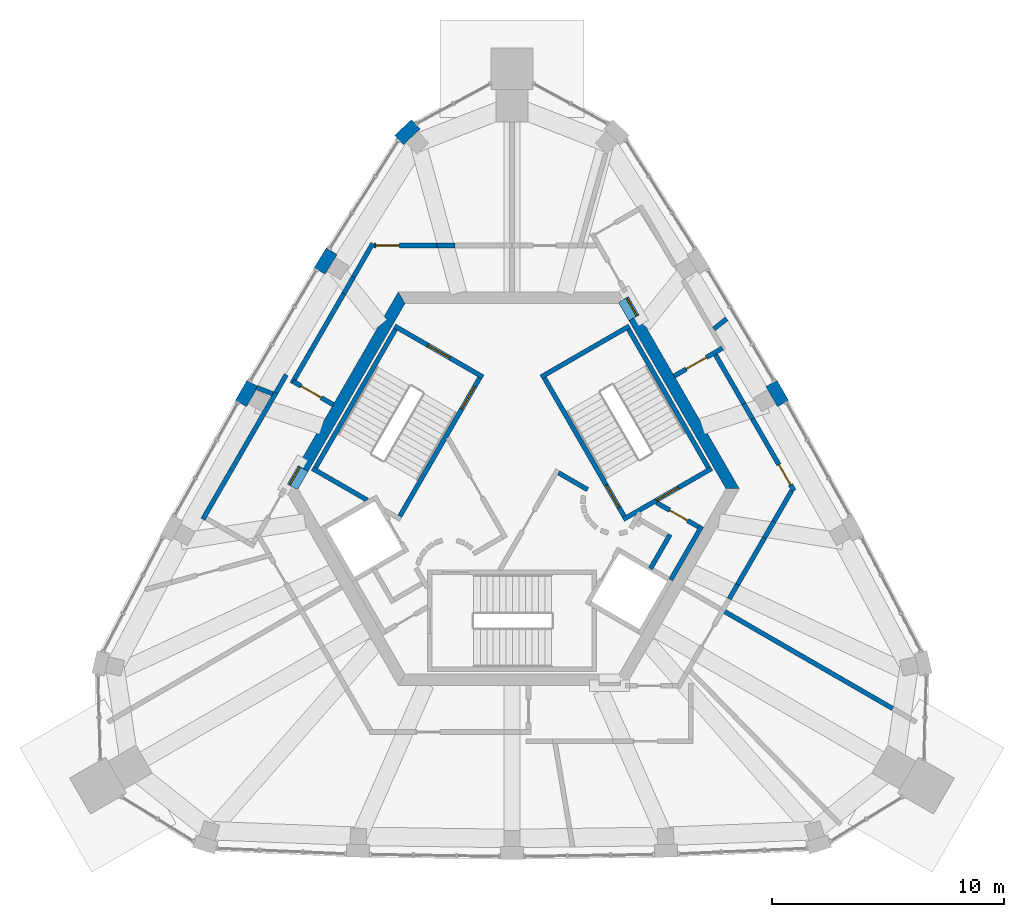
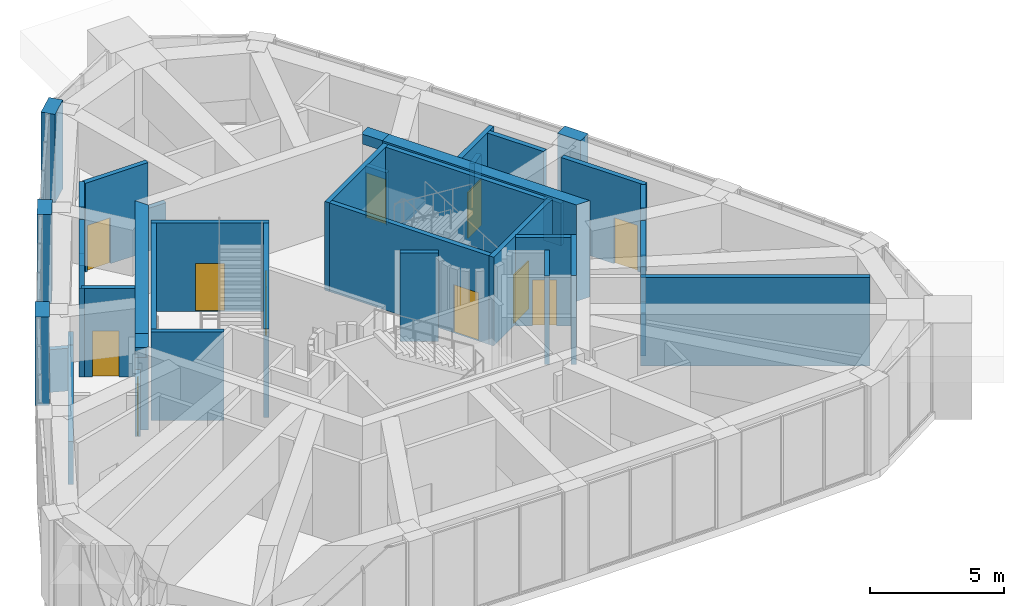
# One storey, part 9 of 11: 41 walls, 11 doors, 11 openings.
"""IFC4 building model written with IfcOpenShell, lengths in metres."""

from ifc_helpers import new_model, si_unit, direction, frame, frame_2d, origin, place, context, subcontext, project, spatial, polyline, rectangle, outline, extrude, material, layer, layer_set, type_object, element, fill, save


model = new_model("IFC4")

# Units and contexts
model_context = context("Model", 3, precision=1e-05, world=origin(), true_north=direction((0.0, 1.0)))
body_context = subcontext(model_context, "Body", "Model", "MODEL_VIEW")
ifc_project = project(units=[si_unit("LENGTHUNIT", "METRE"), si_unit("AREAUNIT", "SQUARE_METRE"), si_unit("VOLUMEUNIT", "CUBIC_METRE"), si_unit("PLANEANGLEUNIT", "RADIAN"), si_unit("MASSUNIT", "GRAM", prefix="KILO")], contexts=[model_context])

# Site, building, storey
site_placement = place(None, origin())
site = spatial("IfcSite", under=ifc_project, at=site_placement, CompositionType="ELEMENT")
building_placement = place(site_placement, origin())
building = spatial("IfcBuilding", under=site, at=building_placement, Name="Entoto Arch Interchange Tower", CompositionType="ELEMENT")
storey_placement = place(building_placement, frame((0.0, 0.0, 353.89990234375)))
storey = spatial("IfcBuildingStorey", under=building, at=storey_placement, Name="L83", CompositionType="ELEMENT", Elevation=353.89990234375)

# Wall, opening, door
ifc_material_1 = material(Name="Reinforced concrete C40/50", Category="concrete")
ifc_layer_1 = layer(ifc_material_1, 0.199951171875)
ifc_layer_set_1 = layer_set([ifc_layer_1], Name="Reinforced concrete C40/50")
wall_type_1 = type_object("IfcWallType", Name="CORE GAP INFILL WALL", PredefinedType="PARTITIONING", material=ifc_layer_set_1)
wall_1_placement = place(storey_placement, frame((5.39892578125, 9.947998046875, 0.0), z_axis=(0.0, 0.0, 1.0), x_axis=(-0.499882215713, 0.866093395895, 0.0)))
wall_1 = element("IfcWall", 1, at=wall_1_placement, inside=storey, type_object=wall_type_1, Name="wall:L83:gap2", PredefinedType="PARTITIONING", context=body_context, shape_type="SweptSolid", body=[
    extrude(rectangle(XDim=0.926025390625, YDim=0.199951171875, at=frame_2d((0.462890625, 0.0))), origin(), (0.0, 0.0, 1.0), 2.400146484375),
])
opening_1_placement = place(wall_1_placement, frame((0.01708984375, 0.0, 0.0)))
opening_1 = element("IfcOpeningElement", 2, at=opening_1_placement, cuts=wall_1, Name="Opening L83-D92", PredefinedType="OPENING", context=body_context, shape_type="SweptSolid", body=[
    extrude(rectangle(XDim=0.89990234375, YDim=2.10009765625, at=frame_2d((0.449951171875, 1.050048828125))), frame((0.0, 0.10986328125, 0.0), z_axis=(0.0, -1.0, 0.0), x_axis=(1.0, 0.0, 0.0)), (0.0, 0.0, 1.0), 0.219970703125),
])
ifc_material_2 = material(Name="Fire-rated Steel S235 door and frame", Category="steel")
door_type_1 = type_object("IfcDoorType", Name="DOOR FD-09 900x2100", OperationType="SINGLE_SWING_LEFT", PredefinedType="DOOR", material=ifc_material_2)
door_1_placement = place(opening_1_placement, origin())
door_1 = element("IfcDoor", 3, at=door_1_placement, inside=storey, type_object=door_type_1, Name="door:L83:gap2", OperationType="SINGLE_SWING_LEFT", OverallHeight=2.10009765625, OverallWidth=0.89990234375, PredefinedType="DOOR", context=body_context, shape_type="SweptSolid", body=[
    extrude(rectangle(XDim=0.89990234375, YDim=2.10009765625, at=frame_2d((0.449951171875, 1.050048828125))), frame((0.0, 0.02490234375, 0.0), z_axis=(0.0, -1.0, 0.0), x_axis=(1.0, 0.0, 0.0)), (0.0, 0.0, 1.0), 0.050048828125),
])
fill(opening_1, door_1)

wall_2_placement = place(storey_placement, frame((-9.14990234375, 3.451904296875, 0.0), z_axis=(0.0, 0.0, 1.0), x_axis=(-0.500079945886, -0.865979242085, 0.0)))
wall_2 = element("IfcWall", 4, at=wall_2_placement, inside=storey, type_object=wall_type_1, Name="wall:L83:gap3", PredefinedType="PARTITIONING", context=body_context, shape_type="SweptSolid", body=[
    extrude(rectangle(XDim=0.926025390625, YDim=0.199951171875, at=frame_2d((0.462890625, 0.0))), origin(), (0.0, 0.0, 1.0), 2.400146484375),
])
opening_2_placement = place(wall_2_placement, frame((0.01708984375, 0.0, 0.0)))
opening_2 = element("IfcOpeningElement", 5, at=opening_2_placement, cuts=wall_2, Name="Opening L83-D93", PredefinedType="OPENING", context=body_context, shape_type="SweptSolid", body=[
    extrude(rectangle(XDim=0.89990234375, YDim=2.10009765625, at=frame_2d((0.449951171875, 1.050048828125))), frame((0.0, 0.10986328125, 0.0), z_axis=(0.0, -1.0, 0.0), x_axis=(1.0, 0.0, 0.0)), (0.0, 0.0, 1.0), 0.219970703125),
])
door_2_placement = place(opening_2_placement, origin())
door_2 = element("IfcDoor", 6, at=door_2_placement, inside=storey, type_object=door_type_1, Name="door:L83:gap3", OperationType="SINGLE_SWING_LEFT", OverallHeight=2.10009765625, OverallWidth=0.89990234375, PredefinedType="DOOR", context=body_context, shape_type="SweptSolid", body=[
    extrude(rectangle(XDim=0.89990234375, YDim=2.10009765625, at=frame_2d((0.449951171875, 1.050048828125))), frame((0.0, 0.02490234375, 0.0), z_axis=(0.0, -1.0, 0.0), x_axis=(1.0, 0.0, 0.0)), (0.0, 0.0, 1.0), 0.050048828125),
])
fill(opening_2, door_2)

# Walls
ifc_material_3 = material(Name="Concrete C40/50", Category="concrete")
ifc_layer_2 = layer(ifc_material_3, 0.5)
ifc_layer_set_2 = layer_set([ifc_layer_2], Name="Concrete C40/50")
wall_type_2 = type_object("IfcWallType", Name="Core wall 500 C40/50", PredefinedType="SHEAR", material=ifc_layer_set_2)
wall_3_placement = place(storey_placement, frame((0.0, 0.0, -0.349853515625)))
element("IfcWall", 7, at=wall_3_placement, inside=storey, type_object=wall_type_2, Name="Core wall NE L83", PredefinedType="SHEAR", context=body_context, shape_type="SweptSolid", body=[
    extrude(outline(polyline([(5.486083984375, 9.998046875), (5.052978515625, 9.748046875), (9.238037109375, 2.5), (9.81494140625, 2.5), (5.486083984375, 9.998046875)])), origin(), (0.0, 0.0, 1.0), 4.39990234375),
])
wall_4_placement = place(storey_placement, frame((0.0, 0.0, 3.60009765625)))
element("IfcWall", 8, at=wall_4_placement, inside=storey, type_object=wall_type_2, Name="Core wall lintel NE L83", PredefinedType="SHEAR", context=body_context, shape_type="SweptSolid", body=[
    extrude(outline(polyline([(5.02197265625, 10.800048828125), (4.677001953125, 10.60107421875), (4.618896484375, 10.5), (5.052978515625, 9.748046875), (5.486083984375, 9.998046875), (5.02197265625, 10.800048828125)])), origin(), (0.0, 0.0, 1.0), 0.449951171875),
])
wall_5_placement = place(storey_placement, frame((0.0, 0.0, -0.349853515625)))
element("IfcWall", 9, at=wall_5_placement, inside=storey, type_object=wall_type_2, Name="Core wall NW L83", PredefinedType="SHEAR", context=body_context, shape_type="SweptSolid", body=[
    extrude(outline(polyline([(-9.236083984375, 3.501953125), (-8.802978515625, 3.2529296875), (-4.618896484375, 10.5), (-4.906982421875, 11.0), (-9.236083984375, 3.501953125)])), origin(), (0.0, 0.0, 1.0), 4.39990234375),
])
wall_6_placement = place(storey_placement, frame((0.0, 0.0, 3.60009765625)))
element("IfcWall", 10, at=wall_6_placement, inside=storey, type_object=wall_type_2, Name="Core wall lintel NW L83", PredefinedType="SHEAR", context=body_context, shape_type="SweptSolid", body=[
    extrude(outline(polyline([(-9.699951171875, 2.699951171875), (-9.35400390625, 2.5), (-9.238037109375, 2.5), (-8.802978515625, 3.2529296875), (-9.236083984375, 3.501953125), (-9.699951171875, 2.699951171875)])), origin(), (0.0, 0.0, 1.0), 0.449951171875),
])
ifc_material_4 = material(Name="Gypsum board partition on steel studs", Category="steel")
ifc_layer_3 = layer(ifc_material_4, 0.199951171875)
ifc_layer_set_3 = layer_set([ifc_layer_3], Name="Gypsum board partition on steel studs")
wall_type_3 = type_object("IfcWallType", Name="PARTITION 200", PredefinedType="PARTITIONING", material=ifc_layer_set_3)
wall_7_placement = place(storey_placement, frame((6.825927734375, 0.52197265625, 0.0), z_axis=(0.0, 0.0, 1.0), x_axis=(-0.500016722714, -0.866015748706, 0.0)))
element("IfcWall", 11, at=wall_7_placement, inside=storey, type_object=wall_type_3, Name="wall:L83:p003", PredefinedType="PARTITIONING", context=body_context, shape_type="SweptSolid", body=[
    extrude(rectangle(XDim=1.69970703125, YDim=0.199951171875, at=frame_2d((0.849853515625, 0.0))), origin(), (0.0, 0.0, 1.0), 4.050048828125),
])
wall_8_placement = place(storey_placement, frame((8.19189453125, 0.887939453125, 0.0), z_axis=(0.0, 0.0, 1.0), x_axis=(-0.499940625693, -0.866059680843, 0.0)))
element("IfcWall", 12, at=wall_8_placement, inside=storey, type_object=wall_type_3, Name="wall:L83:p004", PredefinedType="PARTITIONING", context=body_context, shape_type="SweptSolid", body=[
    extrude(rectangle(XDim=2.679931640625, YDim=0.199951171875, at=frame_2d((1.33984375, 0.0))), origin(), (0.0, 0.0, 1.0), 4.050048828125),
])

# Wall, opening, door
wall_9_placement = place(storey_placement, frame((6.25, 1.89404296875, 0.0), z_axis=(0.0, 0.0, 1.0), x_axis=(0.866043184279, -0.499969202016, 0.0)))
wall_9 = element("IfcWall", 13, at=wall_9_placement, inside=storey, type_object=wall_type_3, Name="wall:L83:p006", PredefinedType="PARTITIONING", context=body_context, shape_type="SweptSolid", body=[
    extrude(rectangle(XDim=2.084228515625, YDim=0.199951171875, at=frame_2d((1.0419921875, 0.0))), origin(), (0.0, 0.0, 1.0), 4.050048828125),
])
opening_3_placement = place(wall_9_placement, frame((0.64208984375, 0.0, 0.0)))
opening_3 = element("IfcOpeningElement", 14, at=opening_3_placement, cuts=wall_9, Name="Opening L83-D18", PredefinedType="OPENING", context=body_context, shape_type="SweptSolid", body=[
    extrude(rectangle(XDim=0.89990234375, YDim=2.10009765625, at=frame_2d((0.449951171875, 1.050048828125))), frame((0.0, 0.10986328125, 0.0), z_axis=(0.0, -1.0, 0.0), x_axis=(1.0, 0.0, 0.0)), (0.0, 0.0, 1.0), 0.219970703125),
])
ifc_material_5 = material(Name="Timber door leaf in Steel S235 frame", Category="steel")
door_type_2 = type_object("IfcDoorType", Name="DOOR DS-09 900x2100", OperationType="SINGLE_SWING_LEFT", PredefinedType="DOOR", material=ifc_material_5)
door_3_placement = place(opening_3_placement, origin())
door_3 = element("IfcDoor", 15, at=door_3_placement, inside=storey, type_object=door_type_2, Name="door:L83:18", OperationType="SINGLE_SWING_LEFT", OverallHeight=2.10009765625, OverallWidth=0.89990234375, PredefinedType="DOOR", context=body_context, shape_type="SweptSolid", body=[
    extrude(rectangle(XDim=0.89990234375, YDim=2.10009765625, at=frame_2d((0.449951171875, 1.050048828125))), frame((0.0, 0.02490234375, 0.0), z_axis=(0.0, -1.0, 0.0), x_axis=(1.0, 0.0, 0.0)), (0.0, 0.0, 1.0), 0.050048828125),
])
fill(opening_3, door_3)

# Walls
wall_10_placement = place(storey_placement, frame((2.011962890625, 3.18603515625, 0.0), z_axis=(0.0, 0.0, 1.0), x_axis=(0.865891012941, -0.500232699559, 0.0)))
element("IfcWall", 16, at=wall_10_placement, inside=storey, type_object=wall_type_3, Name="wall:L83:p019", PredefinedType="PARTITIONING", context=body_context, shape_type="SweptSolid", body=[
    extrude(rectangle(XDim=1.449462890625, YDim=0.199951171875, at=frame_2d((0.724609375, 0.0))), origin(), (0.0, 0.0, 1.0), 4.050048828125),
])
wall_11_placement = place(storey_placement, frame((9.006103515625, -2.699951171875, 0.0), z_axis=(0.0, 0.0, 1.0), x_axis=(0.866026229868, -0.499998569178, 0.0)))
element("IfcWall", 17, at=wall_11_placement, inside=storey, type_object=wall_type_3, Name="wall:L83:p041", PredefinedType="PARTITIONING", context=body_context, shape_type="SweptSolid", body=[
    extrude(rectangle(XDim=8.572265625, YDim=0.199951171875, at=frame_2d((4.2861328125, 0.0))), origin(), (0.0, 0.0, 1.0), 4.050048828125),
])

# Wall, opening, door
wall_12_placement = place(storey_placement, frame((9.08203125, 8.568115234375, 0.0), z_axis=(0.0, 0.0, 1.0), x_axis=(-0.865955154139, -0.50012165622, 0.0)))
wall_12 = element("IfcWall", 18, at=wall_12_placement, inside=storey, type_object=wall_type_3, Name="wall:L83:p042", PredefinedType="PARTITIONING", context=body_context, shape_type="SweptSolid", body=[
    extrude(rectangle(XDim=2.39990234375, YDim=0.199951171875, at=frame_2d((1.199951171875, 0.0))), origin(), (0.0, 0.0, 1.0), 4.050048828125),
])
opening_4_placement = place(wall_12_placement, frame((0.800048828125, 0.0, 0.0)))
opening_4 = element("IfcOpeningElement", 19, at=opening_4_placement, cuts=wall_12, Name="Opening L83-D06", PredefinedType="OPENING", context=body_context, shape_type="SweptSolid", body=[
    extrude(rectangle(XDim=1.0, YDim=2.10009765625, at=frame_2d((0.5, 1.050048828125))), frame((0.0, 0.10986328125, 0.0), z_axis=(0.0, -1.0, 0.0), x_axis=(1.0, 0.0, 0.0)), (0.0, 0.0, 1.0), 0.219970703125),
])
door_type_3 = type_object("IfcDoorType", Name="DOOR FD-10 1000x2100", OperationType="SINGLE_SWING_LEFT", PredefinedType="DOOR", material=ifc_material_2)
door_4_placement = place(opening_4_placement, origin())
door_4 = element("IfcDoor", 20, at=door_4_placement, inside=storey, type_object=door_type_3, Name="door:L83:06", OperationType="SINGLE_SWING_LEFT", OverallHeight=2.10009765625, OverallWidth=1.0, PredefinedType="DOOR", context=body_context, shape_type="SweptSolid", body=[
    extrude(rectangle(XDim=1.0, YDim=2.10009765625, at=frame_2d((0.5, 1.050048828125))), frame((0.0, 0.02490234375, 0.0), z_axis=(0.0, -1.0, 0.0), x_axis=(1.0, 0.0, 0.0)), (0.0, 0.0, 1.0), 0.050048828125),
])
fill(opening_4, door_4)

# Walls
wall_13_placement = place(storey_placement, frame((8.736083984375, 8.367919921875, 0.0), z_axis=(0.0, 0.0, 1.0), x_axis=(0.499945030264, -0.86605713825, 0.0)))
element("IfcWall", 21, at=wall_13_placement, inside=storey, type_object=wall_type_3, Name="wall:L83:p047", PredefinedType="PARTITIONING", context=body_context, shape_type="SweptSolid", body=[
    extrude(rectangle(XDim=2.531982421875, YDim=0.199951171875, at=frame_2d((1.26611328125, 0.0))), origin(), (0.0, 0.0, 1.0), 4.050048828125),
])
wall_14_placement = place(storey_placement, frame((12.073974609375, 2.4130859375, 0.0), z_axis=(0.0, 0.0, 1.0), x_axis=(-0.499897408884, -0.866084626691, 0.0)))
element("IfcWall", 22, at=wall_14_placement, inside=storey, type_object=wall_type_3, Name="wall:L83:p048", PredefinedType="PARTITIONING", context=body_context, shape_type="SweptSolid", body=[
    extrude(rectangle(XDim=1.530029296875, YDim=0.199951171875, at=frame_2d((0.76513671875, 0.0))), origin(), (0.0, 0.0, 1.0), 4.050048828125),
])
wall_15_placement = place(storey_placement, frame((9.26806640625, 9.837890625, 0.0), z_axis=(0.0, 0.0, 1.0), x_axis=(-0.784572335163, -0.620037297988, 0.0)))
element("IfcWall", 23, at=wall_15_placement, inside=storey, type_object=wall_type_3, Name="wall:L83:p052", PredefinedType="PARTITIONING", context=body_context, shape_type="SweptSolid", body=[
    extrude(rectangle(XDim=0.704833984375, YDim=0.199951171875, at=frame_2d((0.3525390625, 0.0))), origin(), (0.0, 0.0, 1.0), 1.9501953125),
])

# Wall, opening, door
wall_16_placement = place(storey_placement, frame((-9.449951171875, 7.132080078125, 0.0), z_axis=(0.0, 0.0, 1.0), x_axis=(0.866010750942, -0.50002537861, 0.0)))
wall_16 = element("IfcWall", 24, at=wall_16_placement, inside=storey, type_object=wall_type_3, Name="wall:L83:p055", PredefinedType="PARTITIONING", context=body_context, shape_type="SweptSolid", body=[
    extrude(rectangle(XDim=2.0, YDim=0.199951171875, at=frame_2d((1.0, 0.0))), origin(), (0.0, 0.0, 1.0), 4.050048828125),
])
opening_5_placement = place(wall_16_placement, frame((0.39990234375, 0.0, 0.0)))
opening_5 = element("IfcOpeningElement", 25, at=opening_5_placement, cuts=wall_16, Name="Opening L83-D11", PredefinedType="OPENING", context=body_context, shape_type="SweptSolid", body=[
    extrude(rectangle(XDim=1.0, YDim=2.10009765625, at=frame_2d((0.5, 1.050048828125))), frame((0.0, 0.10986328125, 0.0), z_axis=(0.0, -1.0, 0.0), x_axis=(1.0, 0.0, 0.0)), (0.0, 0.0, 1.0), 0.219970703125),
])
door_5_placement = place(opening_5_placement, origin())
door_5 = element("IfcDoor", 26, at=door_5_placement, inside=storey, type_object=door_type_3, Name="door:L83:11", OperationType="SINGLE_SWING_LEFT", OverallHeight=2.10009765625, OverallWidth=1.0, PredefinedType="DOOR", context=body_context, shape_type="SweptSolid", body=[
    extrude(rectangle(XDim=1.0, YDim=2.10009765625, at=frame_2d((0.5, 1.050048828125))), frame((0.0, 0.02490234375, 0.0), z_axis=(0.0, -1.0, 0.0), x_axis=(1.0, 0.0, 0.0)), (0.0, 0.0, 1.0), 0.050048828125),
])
fill(opening_5, door_5)

# Walls
wall_17_placement = place(storey_placement, frame((-13.345947265625, 1.18310546875, 0.0), z_axis=(0.0, 0.0, 1.0), x_axis=(0.49998814853, 0.866032246126, 0.0)))
element("IfcWall", 27, at=wall_17_placement, inside=storey, type_object=wall_type_3, Name="wall:L83:p059", PredefinedType="PARTITIONING", context=body_context, shape_type="SweptSolid", body=[
    extrude(rectangle(XDim=6.310302734375, YDim=0.199951171875, at=frame_2d((3.1552734375, 0.0))), origin(), (0.0, 0.0, 1.0), 1.9501953125),
])
wall_18_placement = place(storey_placement, frame((-10.19091796875, 6.64794921875, 0.0), z_axis=(0.0, 0.0, 1.0), x_axis=(0.49973828311, 0.866176453382, 0.0)))
element("IfcWall", 28, at=wall_18_placement, inside=storey, type_object=wall_type_3, Name="wall:L83:p060", PredefinedType="PARTITIONING", context=body_context, shape_type="SweptSolid", body=[
    extrude(rectangle(XDim=0.89013671875, YDim=0.199951171875, at=frame_2d((0.445068359375, 0.0))), origin(), (0.0, 0.0, 1.0), 1.9501953125),
])
wall_19_placement = place(storey_placement, frame((-9.5, 7.044921875, 0.0), z_axis=(0.0, 0.0, 1.0), x_axis=(0.499984700226, 0.866034236933, 0.0)))
element("IfcWall", 29, at=wall_19_placement, inside=storey, type_object=wall_type_3, Name="wall:L83:p061", PredefinedType="PARTITIONING", context=body_context, shape_type="SweptSolid", body=[
    extrude(rectangle(XDim=4.486083984375, YDim=0.199951171875, at=frame_2d((2.2431640625, 0.0))), origin(), (0.0, 0.0, 1.0), 4.050048828125),
])

# Wall, opening, door
wall_20_placement = place(storey_placement, frame((-5.9619140625, 13.0, 0.0), z_axis=(0.0, 0.0, 1.0), x_axis=(1.0, 0.0, 0.0)))
wall_20 = element("IfcWall", 30, at=wall_20_placement, inside=storey, type_object=wall_type_3, Name="wall:L83:p062", PredefinedType="PARTITIONING", context=body_context, shape_type="SweptSolid", body=[
    extrude(rectangle(XDim=2.71484375, YDim=0.199951171875, at=frame_2d((1.357421875, 0.0))), origin(), (0.0, 0.0, 1.0), 4.050048828125),
])
opening_6_placement = place(wall_20_placement, frame((0.10009765625, 0.0, 0.0)))
opening_6 = element("IfcOpeningElement", 31, at=opening_6_placement, cuts=wall_20, Name="Opening L83-D14", PredefinedType="OPENING", context=body_context, shape_type="SweptSolid", body=[
    extrude(rectangle(XDim=1.0, YDim=2.10009765625, at=frame_2d((0.5, 1.050048828125))), frame((0.0, 0.10986328125, 0.0), z_axis=(0.0, -1.0, 0.0), x_axis=(1.0, 0.0, 0.0)), (0.0, 0.0, 1.0), 0.219970703125),
])
door_6_placement = place(opening_6_placement, origin())
door_6 = element("IfcDoor", 32, at=door_6_placement, inside=storey, type_object=door_type_3, Name="door:L83:14", OperationType="SINGLE_SWING_RIGHT", OverallHeight=2.10009765625, OverallWidth=1.0, PredefinedType="DOOR", context=body_context, shape_type="SweptSolid", body=[
    extrude(rectangle(XDim=1.0, YDim=2.10009765625, at=frame_2d((0.5, 1.050048828125))), frame((0.0, 0.02490234375, 0.0), z_axis=(0.0, -1.0, 0.0), x_axis=(1.0, 0.0, 0.0)), (0.0, 0.0, 1.0), 0.050048828125),
])
fill(opening_6, door_6)

# Walls
wall_21_placement = place(storey_placement, frame((-11.033935546875, 6.8759765625, 0.0), z_axis=(0.0, 0.0, 1.0), x_axis=(0.929345991637, -0.369210005049, 0.0)))
element("IfcWall", 33, at=wall_21_placement, inside=storey, type_object=wall_type_3, Name="wall:L83:p065", PredefinedType="PARTITIONING", context=body_context, shape_type="SweptSolid", body=[
    extrude(rectangle(XDim=0.753173828125, YDim=0.199951171875, at=frame_2d((0.37646484375, 0.0))), origin(), (0.0, 0.0, 1.0), 1.9501953125),
])
wall_22_placement = place(storey_placement, frame((10.001953125, 6.175048828125, 0.0), z_axis=(0.0, 0.0, 1.0), x_axis=(0.499750401311, -0.866169461704, 0.0)))
element("IfcWall", 34, at=wall_22_placement, inside=storey, type_object=wall_type_3, Name="wall:L83:p047", PredefinedType="PARTITIONING", context=body_context, shape_type="SweptSolid", body=[
    extrude(rectangle(XDim=0.75634765625, YDim=0.199951171875, at=frame_2d((0.378173828125, 0.0))), origin(), (0.0, 0.0, 1.0), 1.9501953125),
])

# Wall, opening, door
wall_23_placement = place(storey_placement, frame((10.3798828125, 5.52001953125, 0.0), z_axis=(0.0, 0.0, 1.0), x_axis=(0.500083720737, -0.865977062199, 0.0)))
wall_23 = element("IfcWall", 35, at=wall_23_placement, inside=storey, type_object=wall_type_3, Name="wall:L83:p047", PredefinedType="PARTITIONING", context=body_context, shape_type="SweptSolid", body=[
    extrude(rectangle(XDim=3.587890625, YDim=0.199951171875, at=frame_2d((1.7939453125, 0.0))), origin(), (0.0, 0.0, 1.0), 4.050048828125),
])
opening_7_placement = place(wall_23_placement, frame((2.287109375, 0.0, 0.0)))
opening_7 = element("IfcOpeningElement", 36, at=opening_7_placement, cuts=wall_23, Name="Opening L83-D09", PredefinedType="OPENING", context=body_context, shape_type="SweptSolid", body=[
    extrude(rectangle(XDim=1.0, YDim=2.10009765625, at=frame_2d((0.5, 1.050048828125))), frame((0.0, 0.10986328125, 0.0), z_axis=(0.0, -1.0, 0.0), x_axis=(1.0, 0.0, 0.0)), (0.0, 0.0, 1.0), 0.219970703125),
])
door_7_placement = place(opening_7_placement, origin())
door_7 = element("IfcDoor", 37, at=door_7_placement, inside=storey, type_object=door_type_3, Name="door:L83:09", OperationType="SINGLE_SWING_RIGHT", OverallHeight=2.10009765625, OverallWidth=1.0, PredefinedType="DOOR", context=body_context, shape_type="SweptSolid", body=[
    extrude(rectangle(XDim=1.0, YDim=2.10009765625, at=frame_2d((0.5, 1.050048828125))), frame((0.0, 0.02490234375, 0.0), z_axis=(0.0, -1.0, 0.0), x_axis=(1.0, 0.0, 0.0)), (0.0, 0.0, 1.0), 0.050048828125),
])
fill(opening_7, door_7)

# Walls
wall_24_placement = place(storey_placement, frame((11.30908203125, 1.087890625, 0.0), z_axis=(0.0, 0.0, 1.0), x_axis=(-0.499824743306, -0.866126564642, 0.0)))
element("IfcWall", 38, at=wall_24_placement, inside=storey, type_object=wall_type_3, Name="wall:L83:p048", PredefinedType="PARTITIONING", context=body_context, shape_type="SweptSolid", body=[
    extrude(rectangle(XDim=0.826416015625, YDim=0.199951171875, at=frame_2d((0.4130859375, 0.0))), origin(), (0.0, 0.0, 1.0), 1.9501953125),
])
wall_25_placement = place(storey_placement, frame((10.89599609375, 0.3720703125, 0.0), z_axis=(0.0, 0.0, 1.0), x_axis=(-0.500096650539, -0.865969595378, 0.0)))
element("IfcWall", 39, at=wall_25_placement, inside=storey, type_object=wall_type_3, Name="wall:L83:p048", PredefinedType="PARTITIONING", context=body_context, shape_type="SweptSolid", body=[
    extrude(rectangle(XDim=2.3154296875, YDim=0.199951171875, at=frame_2d((1.15771484375, 0.0))), origin(), (0.0, 0.0, 1.0), 4.050048828125),
])
wall_26_placement = place(storey_placement, frame((9.738037109375, -1.633056640625, 0.0), z_axis=(0.0, 0.0, 1.0), x_axis=(-0.499820234884, -0.866129166349, 0.0)))
element("IfcWall", 40, at=wall_26_placement, inside=storey, type_object=wall_type_3, Name="wall:L83:p048", PredefinedType="PARTITIONING", context=body_context, shape_type="SweptSolid", body=[
    extrude(rectangle(XDim=0.720458984375, YDim=0.199951171875, at=frame_2d((0.3603515625, 0.0))), origin(), (0.0, 0.0, 1.0), 1.9501953125),
])
wall_27_placement = place(storey_placement, frame((-7.257080078125, 10.929931640625, 0.0), z_axis=(0.0, 0.0, 1.0), x_axis=(0.499560947681, 0.866278742411, 0.0)))
element("IfcWall", 41, at=wall_27_placement, inside=storey, type_object=wall_type_3, Name="wall:L83:p061", PredefinedType="PARTITIONING", context=body_context, shape_type="SweptSolid", body=[
    extrude(rectangle(XDim=0.828857421875, YDim=0.199951171875, at=frame_2d((0.41455078125, 0.0))), origin(), (0.0, 0.0, 1.0), 1.9501953125),
])
wall_28_placement = place(storey_placement, frame((-6.843017578125, 11.64794921875, 0.0), z_axis=(0.0, 0.0, 1.0), x_axis=(0.500120931396, 0.865955572752, 0.0)))
element("IfcWall", 42, at=wall_28_placement, inside=storey, type_object=wall_type_3, Name="wall:L83:p061", PredefinedType="PARTITIONING", context=body_context, shape_type="SweptSolid", body=[
    extrude(rectangle(XDim=1.66162109375, YDim=0.199951171875, at=frame_2d((0.830810546875, 0.0))), origin(), (0.0, 0.0, 1.0), 4.050048828125),
])
wall_29_placement = place(storey_placement, frame((-3.2470703125, 13.0, 0.0), z_axis=(0.0, 0.0, 1.0), x_axis=(1.0, 0.0, 0.0)))
element("IfcWall", 43, at=wall_29_placement, inside=storey, type_object=wall_type_3, Name="wall:L83:p062", PredefinedType="PARTITIONING", context=body_context, shape_type="SweptSolid", body=[
    extrude(rectangle(XDim=0.780029296875, YDim=0.199951171875, at=frame_2d((0.39013671875, 0.0))), origin(), (0.0, 0.0, 1.0), 1.9501953125),
])

# Wall, opening, door
ifc_layer_4 = layer(ifc_material_3, 0.199951171875)
ifc_layer_set_4 = layer_set([ifc_layer_4], Name="Concrete C40/50")
wall_type_4 = type_object("IfcWallType", Name="STAIR ENCLOSURE WALL 200", PredefinedType="STANDARD", material=ifc_layer_set_4)
wall_30_placement = place(storey_placement, frame((4.805908203125, 1.176025390625, 0.0), z_axis=(0.0, 0.0, 1.0), x_axis=(0.866059941101, 0.499940174841, 0.0)))
wall_30 = element("IfcWall", 44, at=wall_30_placement, inside=storey, type_object=wall_type_4, Name="Stair wall ST-NE near", PredefinedType="STANDARD", context=body_context, shape_type="SweptSolid", body=[
    extrude(rectangle(XDim=4.400390625, YDim=0.199951171875, at=frame_2d((2.2001953125, 0.0))), origin(), (0.0, 0.0, 1.0), 4.050048828125),
])
opening_8_placement = place(wall_30_placement, frame((1.64990234375, 0.0, 0.0)))
opening_8 = element("IfcOpeningElement", 45, at=opening_8_placement, cuts=wall_30, Name="Opening SD-ST-NE-L83-E", PredefinedType="OPENING", context=body_context, shape_type="SweptSolid", body=[
    extrude(rectangle(XDim=1.10009765625, YDim=2.199951171875, at=frame_2d((0.550048828125, 1.10009765625))), frame((0.0, 0.10986328125, 0.0), z_axis=(0.0, -1.0, 0.0), x_axis=(1.0, 0.0, 0.0)), (0.0, 0.0, 1.0), 0.219970703125),
])
ifc_material_6 = material(Name="Steel S235", Category="steel")
door_type_4 = type_object("IfcDoorType", Name="STAIR DOOR SD1 1100x2200", OperationType="SINGLE_SWING_LEFT", PredefinedType="DOOR", material=ifc_material_6)
door_8_placement = place(opening_8_placement, origin())
door_8 = element("IfcDoor", 46, at=door_8_placement, inside=storey, type_object=door_type_4, Name="Stair door ST-NE L83 end", OperationType="SINGLE_SWING_LEFT", OverallHeight=2.199951171875, OverallWidth=1.10009765625, PredefinedType="DOOR", context=body_context, shape_type="SweptSolid", body=[
    extrude(rectangle(XDim=1.10009765625, YDim=2.199951171875, at=frame_2d((0.550048828125, 1.10009765625))), frame((0.0, 0.02490234375, 0.0), z_axis=(0.0, -1.0, 0.0), x_axis=(1.0, 0.0, 0.0)), (0.0, 0.0, 1.0), 0.050048828125),
])
fill(opening_8, door_8)

# Wall
wall_31_placement = place(storey_placement, frame((1.256103515625, 7.323974609375, 0.0), z_axis=(0.0, 0.0, 1.0), x_axis=(0.866046073146, 0.499964197906, 0.0)))
element("IfcWall", 47, at=wall_31_placement, inside=storey, type_object=wall_type_4, Name="Stair wall ST-NE far", PredefinedType="STANDARD", context=body_context, shape_type="SweptSolid", body=[
    extrude(rectangle(XDim=4.400146484375, YDim=0.199951171875, at=frame_2d((2.2001953125, 0.0))), origin(), (0.0, 0.0, 1.0), 4.050048828125),
])

# Wall, opening, door
wall_32_placement = place(storey_placement, frame((4.843017578125, 1.31201171875, 0.0), z_axis=(0.0, 0.0, 1.0), x_axis=(-0.499963383562, 0.866046543262, 0.0)))
wall_32 = element("IfcWall", 48, at=wall_32_placement, inside=storey, type_object=wall_type_4, Name="Stair wall ST-NE hall", PredefinedType="STANDARD", context=body_context, shape_type="SweptSolid", body=[
    extrude(rectangle(XDim=6.900390625, YDim=0.199951171875, at=frame_2d((3.4501953125, 0.0))), origin(), (0.0, 0.0, 1.0), 4.050048828125),
])
opening_9_placement = place(wall_32_placement, frame((0.449951171875, 0.0, 0.0)))
opening_9 = element("IfcOpeningElement", 49, at=opening_9_placement, cuts=wall_32, Name="Opening SD-ST-NE-L83", PredefinedType="OPENING", context=body_context, shape_type="SweptSolid", body=[
    extrude(rectangle(XDim=1.10009765625, YDim=2.199951171875, at=frame_2d((0.550048828125, 1.10009765625))), frame((0.0, 0.10986328125, 0.0), z_axis=(0.0, -1.0, 0.0), x_axis=(1.0, 0.0, 0.0)), (0.0, 0.0, 1.0), 0.219970703125),
])
door_9_placement = place(opening_9_placement, origin())
door_9 = element("IfcDoor", 50, at=door_9_placement, inside=storey, type_object=door_type_4, Name="Stair door ST-NE L83", OperationType="SINGLE_SWING_LEFT", OverallHeight=2.199951171875, OverallWidth=1.10009765625, PredefinedType="DOOR", context=body_context, shape_type="SweptSolid", body=[
    extrude(rectangle(XDim=1.10009765625, YDim=2.199951171875, at=frame_2d((0.550048828125, 1.10009765625))), frame((0.0, 0.02490234375, 0.0), z_axis=(0.0, -1.0, 0.0), x_axis=(1.0, 0.0, 0.0)), (0.0, 0.0, 1.0), 0.050048828125),
])
fill(opening_9, door_9)

# Wall
wall_33_placement = place(storey_placement, frame((8.47998046875, 3.412109375, 0.0), z_axis=(0.0, 0.0, 1.0), x_axis=(-0.499978703459, 0.866037698999, 0.0)))
element("IfcWall", 51, at=wall_33_placement, inside=storey, type_object=wall_type_4, Name="Stair wall ST-NE back", PredefinedType="STANDARD", context=body_context, shape_type="SweptSolid", body=[
    extrude(rectangle(XDim=6.900146484375, YDim=0.199951171875, at=frame_2d((3.4501953125, 0.0))), origin(), (0.0, 0.0, 1.0), 4.050048828125),
])

# Wall, opening, door
wall_34_placement = place(storey_placement, frame((-1.256103515625, 7.323974609375, 0.0), z_axis=(0.0, 0.0, 1.0), x_axis=(-0.866046073146, 0.499964197906, 0.0)))
wall_34 = element("IfcWall", 52, at=wall_34_placement, inside=storey, type_object=wall_type_4, Name="Stair wall ST-NW near", PredefinedType="STANDARD", context=body_context, shape_type="SweptSolid", body=[
    extrude(rectangle(XDim=4.400146484375, YDim=0.199951171875, at=frame_2d((2.2001953125, 0.0))), origin(), (0.0, 0.0, 1.0), 4.050048828125),
])
opening_10_placement = place(wall_34_placement, frame((1.64990234375, 0.0, 0.0)))
opening_10 = element("IfcOpeningElement", 53, at=opening_10_placement, cuts=wall_34, Name="Opening SD-ST-NW-L83-E", PredefinedType="OPENING", context=body_context, shape_type="SweptSolid", body=[
    extrude(rectangle(XDim=1.10009765625, YDim=2.199951171875, at=frame_2d((0.550048828125, 1.10009765625))), frame((0.0, 0.10986328125, 0.0), z_axis=(0.0, -1.0, 0.0), x_axis=(1.0, 0.0, 0.0)), (0.0, 0.0, 1.0), 0.219970703125),
])
door_10_placement = place(opening_10_placement, origin())
door_10 = element("IfcDoor", 54, at=door_10_placement, inside=storey, type_object=door_type_4, Name="Stair door ST-NW L83 end", OperationType="SINGLE_SWING_LEFT", OverallHeight=2.199951171875, OverallWidth=1.10009765625, PredefinedType="DOOR", context=body_context, shape_type="SweptSolid", body=[
    extrude(rectangle(XDim=1.10009765625, YDim=2.199951171875, at=frame_2d((0.550048828125, 1.10009765625))), frame((0.0, 0.02490234375, 0.0), z_axis=(0.0, -1.0, 0.0), x_axis=(1.0, 0.0, 0.0)), (0.0, 0.0, 1.0), 0.050048828125),
])
fill(opening_10, door_10)

# Wall
wall_35_placement = place(storey_placement, frame((-6.25, 2.010009765625, 0.0), z_axis=(0.0, 0.0, 1.0), x_axis=(-0.86611865017, 0.499838457731, 0.0)))
element("IfcWall", 55, at=wall_35_placement, inside=storey, type_object=wall_type_4, Name="Stair wall ST-NW far", PredefinedType="STANDARD", context=body_context, shape_type="SweptSolid", body=[
    extrude(rectangle(XDim=2.73291015625, YDim=0.199951171875, at=frame_2d((1.366455078125, 0.0))), origin(), (0.0, 0.0, 1.0), 4.050048828125),
])

# Wall, opening, door
wall_36_placement = place(storey_placement, frame((-1.39306640625, 7.2880859375, 0.0), z_axis=(0.0, 0.0, 1.0), x_axis=(-0.499963383562, -0.866046543262, 0.0)))
wall_36 = element("IfcWall", 56, at=wall_36_placement, inside=storey, type_object=wall_type_4, Name="Stair wall ST-NW hall", PredefinedType="STANDARD", context=body_context, shape_type="SweptSolid", body=[
    extrude(rectangle(XDim=6.900390625, YDim=0.199951171875, at=frame_2d((3.4501953125, 0.0))), origin(), (0.0, 0.0, 1.0), 4.050048828125),
])
opening_11_placement = place(wall_36_placement, frame((0.449951171875, 0.0, 0.0)))
opening_11 = element("IfcOpeningElement", 57, at=opening_11_placement, cuts=wall_36, Name="Opening SD-ST-NW-L83", PredefinedType="OPENING", context=body_context, shape_type="SweptSolid", body=[
    extrude(rectangle(XDim=1.10009765625, YDim=2.199951171875, at=frame_2d((0.550048828125, 1.10009765625))), frame((0.0, 0.10986328125, 0.0), z_axis=(0.0, -1.0, 0.0), x_axis=(1.0, 0.0, 0.0)), (0.0, 0.0, 1.0), 0.219970703125),
])
door_11_placement = place(opening_11_placement, origin())
door_11 = element("IfcDoor", 58, at=door_11_placement, inside=storey, type_object=door_type_4, Name="Stair door ST-NW L83", OperationType="SINGLE_SWING_LEFT", OverallHeight=2.199951171875, OverallWidth=1.10009765625, PredefinedType="DOOR", context=body_context, shape_type="SweptSolid", body=[
    extrude(rectangle(XDim=1.10009765625, YDim=2.199951171875, at=frame_2d((0.550048828125, 1.10009765625))), frame((0.0, 0.02490234375, 0.0), z_axis=(0.0, -1.0, 0.0), x_axis=(1.0, 0.0, 0.0)), (0.0, 0.0, 1.0), 0.050048828125),
])
fill(opening_11, door_11)

# Walls
wall_37_placement = place(storey_placement, frame((-5.030029296875, 9.387939453125, 0.0), z_axis=(0.0, 0.0, 1.0), x_axis=(-0.499978703459, -0.866037698999, 0.0)))
element("IfcWall", 59, at=wall_37_placement, inside=storey, type_object=wall_type_4, Name="Stair wall ST-NW back", PredefinedType="STANDARD", context=body_context, shape_type="SweptSolid", body=[
    extrude(rectangle(XDim=6.900146484375, YDim=0.199951171875, at=frame_2d((3.4501953125, 0.0))), origin(), (0.0, 0.0, 1.0), 4.050048828125),
])
ifc_material_7 = material(Name="Welded tuff (ignimbrite) cladding, warm buff", Category="masonry")
ifc_layer_5 = layer(ifc_material_7, 0.550048828125)
ifc_layer_set_5 = layer_set([ifc_layer_5], Name="Welded tuff (ignimbrite) cladding, warm buff")
wall_type_5 = type_object("IfcWallType", Name="STONE PIER CLADDING 550", PredefinedType="STANDARD", material=ifc_layer_set_5)
wall_38_placement = place(storey_placement, frame((11.702880859375, 6.178955078125, 0.0), z_axis=(0.0, 0.0, 1.0), x_axis=(-0.49960277677, 0.866254619292, 0.0)))
element("IfcWall", 60, at=wall_38_placement, inside=storey, type_object=wall_type_5, Name="Stone pier NE03 L83", PredefinedType="STANDARD", context=body_context, shape_type="SweptSolid", body=[
    extrude(rectangle(XDim=1.000732421875, YDim=0.550048828125, at=frame_2d((0.50048828125, 0.0))), origin(), (0.0, 0.0, 1.0), 4.050048828125),
])
for number, where, z_axis, x_axis, name in (
    (61, (-4.15087890625, 18.236083984375, 0.0), (0.0, 0.0, 1.0), (-0.731217625008, -0.682144255182, 0.0), "Stone pier NW01 L83"),
    (62, (-7.781982421875, 12.7548828125, 0.0), (0.0, 0.0, 1.0), (-0.523906717346, -0.851775646235, 0.0), "Stone pier NW02 L83"),
):
    element("IfcWall", number, at=place(storey_placement, frame(where, z_axis=z_axis, x_axis=x_axis)), inside=storey, type_object=wall_type_5, Name=name, PredefinedType="STANDARD", context=body_context, shape_type="SweptSolid", body=[
        extrude(rectangle(XDim=1.0, YDim=0.550048828125, at=frame_2d((0.5, 0.0))), origin(), (0.0, 0.0, 1.0), 4.050048828125),
    ])
wall_39_placement = place(storey_placement, frame((-11.202880859375, 7.0458984375, 0.0), z_axis=(0.0, 0.0, 1.0), x_axis=(-0.49960277677, -0.866254619292, 0.0)))
element("IfcWall", 63, at=wall_39_placement, inside=storey, type_object=wall_type_5, Name="Stone pier NW03 L83", PredefinedType="STANDARD", context=body_context, shape_type="SweptSolid", body=[
    extrude(rectangle(XDim=1.000732421875, YDim=0.550048828125, at=frame_2d((0.50048828125, 0.0))), origin(), (0.0, 0.0, 1.0), 4.050048828125),
])

save(model, "model.ifc")
